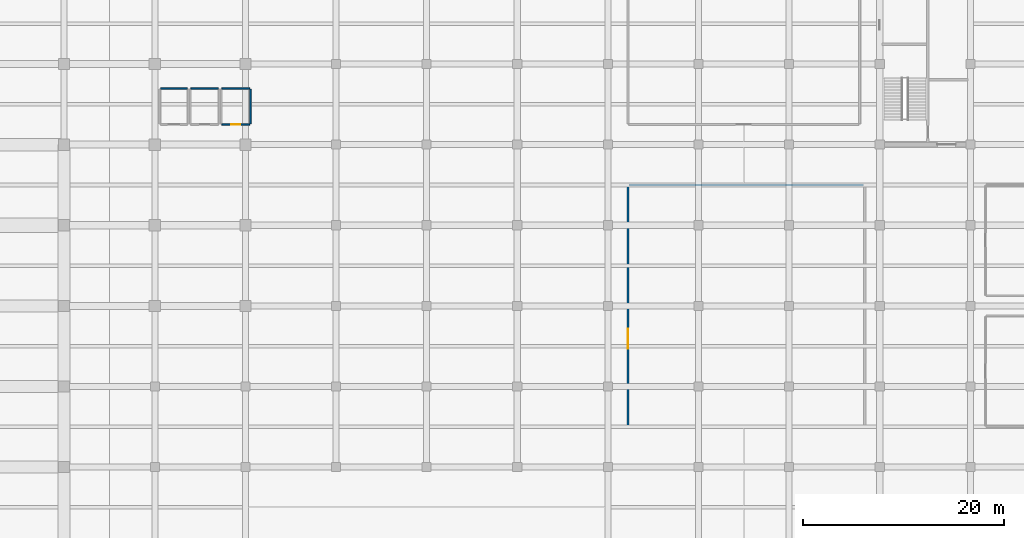
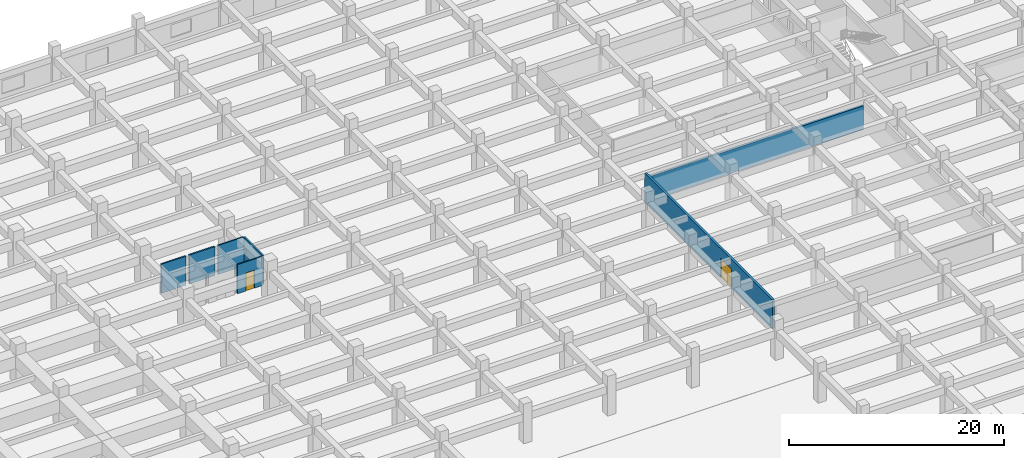
# One storey, part 26 of 40: 7 walls, 2 doors, 2 openings.
"""IFC4 building model written with IfcOpenShell, lengths in metres."""

from ifc_helpers import new_model, si_unit, direction, frame, frame_2d, origin, place, context, subcontext, project, spatial, rectangle, extrude, material, layer, layer_set, type_object, element, fill, save


model = new_model("IFC4")

# Units and contexts
model_context = context("Model", 3, precision=1e-05, world=origin(), true_north=direction((0.0, 1.0)))
body_context = subcontext(model_context, "Body", "Model", "MODEL_VIEW")
ifc_project = project(units=[si_unit("LENGTHUNIT", "METRE"), si_unit("AREAUNIT", "SQUARE_METRE"), si_unit("VOLUMEUNIT", "CUBIC_METRE"), si_unit("PLANEANGLEUNIT", "RADIAN"), si_unit("MASSUNIT", "GRAM", prefix="KILO")], contexts=[model_context])

# Site, building, storey
site_placement = place(None, origin())
site = spatial("IfcSite", under=ifc_project, at=site_placement, CompositionType="ELEMENT")
building_placement = place(site_placement, origin())
building = spatial("IfcBuilding", under=site, at=building_placement, Name="Zaverband Oceanarium and Marine Research Institute", CompositionType="ELEMENT")
storey_placement = place(building_placement, origin())
storey = spatial("IfcBuildingStorey", under=building, at=storey_placement, Name="L00", CompositionType="ELEMENT", Elevation=0.0)

# Walls
ifc_material_1 = material(Name="Ceramic-tiled wet-room blockwork", Category="masonry")
ifc_layer_1 = layer(ifc_material_1, 0.14990234375, Name="Ceramic-tiled wet-room blockwork")
ifc_layer_set_1 = layer_set([ifc_layer_1], Name="Ceramic-tiled wet-room blockwork")
wall_type_1 = type_object("IfcWallType", Name="PT-150-WC", PredefinedType="PARTITIONING", material=ifc_layer_set_1)
wall_1_placement = place(storey_placement, frame((63.574951171875, 85.60009765625, 0.0), z_axis=(0.0, 0.0, 1.0), x_axis=(1.0, 0.0, 0.0)))
element("IfcWall", 1, at=wall_1_placement, inside=storey, type_object=wall_type_1, Name="Internal partition PT-150-WC", PredefinedType="PARTITIONING", context=body_context, shape_type="SweptSolid", body=[
    extrude(rectangle(XDim=2.650146484375, YDim=0.14990234375, at=frame_2d((1.3251953125, 0.0))), origin(), (0.0, 0.0, 1.0), 3.300048828125),
])
wall_2_placement = place(storey_placement, frame((66.574951171875, 85.60009765625, 0.0), z_axis=(0.0, 0.0, 1.0), x_axis=(1.0, 0.0, 0.0)))
element("IfcWall", 2, at=wall_2_placement, inside=storey, type_object=wall_type_1, Name="Internal partition PT-150-WC", PredefinedType="PARTITIONING", context=body_context, shape_type="SweptSolid", body=[
    extrude(rectangle(XDim=2.75, YDim=0.14990234375, at=frame_2d((1.375, 0.0))), origin(), (0.0, 0.0, 1.0), 3.300048828125),
])

# Wall, opening, door
wall_3_placement = place(storey_placement, frame((69.675048828125, 82.0, 0.0), z_axis=(0.0, 0.0, 1.0), x_axis=(1.0, 0.0, 0.0)))
wall_3 = element("IfcWall", 3, at=wall_3_placement, inside=storey, type_object=wall_type_1, Name="Internal partition PT-150-WC", PredefinedType="PARTITIONING", context=body_context, shape_type="SweptSolid", body=[
    extrude(rectangle(XDim=2.75, YDim=0.14990234375, at=frame_2d((1.375, 0.0))), origin(), (0.0, 0.0, 1.0), 3.300048828125),
])
opening_1_placement = place(wall_3_placement, frame((0.929931640625, 0.0, 0.0)))
opening_1 = element("IfcOpeningElement", 4, at=opening_1_placement, cuts=wall_3, Name="Opening ID-890x2060", PredefinedType="OPENING", context=body_context, shape_type="SweptSolid", body=[
    extrude(rectangle(XDim=0.889892578125, YDim=2.06005859375, at=frame_2d((0.44482421875, 1.030029296875))), frame((0.0, 0.0869140625, 0.0), z_axis=(0.0, -1.0, 0.0), x_axis=(1.0, 0.0, 0.0)), (0.0, 0.0, 1.0), 0.173828125),
])
ifc_material_2 = material(Name="Hardwood-veneered acoustic timber", Category="wood")
door_type_1 = type_object("IfcDoorType", Name="ID-890x2060", OperationType="NOTDEFINED", PredefinedType="DOOR", material=ifc_material_2)
door_1_placement = place(opening_1_placement, origin())
door_1 = element("IfcDoor", 5, at=door_1_placement, inside=storey, type_object=door_type_1, Name="Staff WC door ID-890x2060", OperationType="SINGLE_SWING_LEFT", OverallHeight=2.06005859375, OverallWidth=0.889892578125, PredefinedType="DOOR", context=body_context, shape_type="SweptSolid", body=[
    extrude(rectangle(XDim=0.889892578125, YDim=2.06005859375, at=frame_2d((0.44482421875, 1.030029296875))), frame((0.0, 0.02490234375, 0.0), z_axis=(0.0, -1.0, 0.0), x_axis=(1.0, 0.0, 0.0)), (0.0, 0.0, 1.0), 0.050048828125),
])
fill(opening_1, door_1)

# Walls
wall_4_placement = place(storey_placement, frame((69.675048828125, 85.60009765625, 0.0), z_axis=(0.0, 0.0, 1.0), x_axis=(1.0, 0.0, 0.0)))
element("IfcWall", 6, at=wall_4_placement, inside=storey, type_object=wall_type_1, Name="Internal partition PT-150-WC", PredefinedType="PARTITIONING", context=body_context, shape_type="SweptSolid", body=[
    extrude(rectangle(XDim=2.75, YDim=0.14990234375, at=frame_2d((1.375, 0.0))), origin(), (0.0, 0.0, 1.0), 3.300048828125),
])
wall_5_placement = place(storey_placement, frame((72.5, 82.074951171875, 0.0), z_axis=(0.0, 0.0, 1.0), x_axis=(0.0, 1.0, 0.0)))
element("IfcWall", 7, at=wall_5_placement, inside=storey, type_object=wall_type_1, Name="Internal partition PT-150-WC", PredefinedType="PARTITIONING", context=body_context, shape_type="SweptSolid", body=[
    extrude(rectangle(XDim=3.449951171875, YDim=0.14990234375, at=frame_2d((1.72509765625, 0.0))), origin(), (0.0, 0.0, 1.0), 3.300048828125),
])
ifc_material_3 = material(Name="Masonry concrete blockwork", Category="masonry")
ifc_layer_2 = layer(ifc_material_3, 0.239990234375, Name="Masonry concrete blockwork")
ifc_layer_set_2 = layer_set([ifc_layer_2], Name="Masonry concrete blockwork")
wall_type_2 = type_object("IfcWallType", Name="PT-240-AC", PredefinedType="PARTITIONING", material=ifc_layer_set_2)
wall_6_placement = place(storey_placement, frame((110.1201171875, 76.0, 0.0), z_axis=(0.0, 0.0, 1.0), x_axis=(1.0, 0.0, 0.0)))
element("IfcWall", 8, at=wall_6_placement, inside=storey, type_object=wall_type_2, Name="Acoustic partition PT-240-AC", PredefinedType="PARTITIONING", context=body_context, shape_type="SweptSolid", body=[
    extrude(rectangle(XDim=23.259765625, YDim=0.239990234375, at=frame_2d((11.6298828125, 0.0))), origin(), (0.0, 0.0, 1.0), 2.699951171875),
])

# Wall, opening, door
wall_7_placement = place(storey_placement, frame((110.0, 52.1201171875, 0.0), z_axis=(0.0, 0.0, 1.0), x_axis=(0.0, 1.0, 0.0)))
wall_7 = element("IfcWall", 9, at=wall_7_placement, inside=storey, type_object=wall_type_2, Name="Acoustic partition PT-240-AC", PredefinedType="PARTITIONING", context=body_context, shape_type="SweptSolid", body=[
    extrude(rectangle(XDim=23.759765625, YDim=0.239990234375, at=frame_2d((11.8798828125, 0.0))), origin(), (0.0, 0.0, 1.0), 3.300048828125),
])
opening_2_placement = place(wall_7_placement, frame((7.615966796875, 0.0, 0.0)))
opening_2 = element("IfcOpeningElement", 10, at=opening_2_placement, cuts=wall_7, Name="Opening ID-2000x2180", PredefinedType="OPENING", context=body_context, shape_type="SweptSolid", body=[
    extrude(rectangle(XDim=2.0, YDim=2.179931640625, at=frame_2d((1.0, 1.08984375))), frame((0.0, 0.1318359375, 0.0), z_axis=(0.0, -1.0, 0.0), x_axis=(1.0, 0.0, 0.0)), (0.0, 0.0, 1.0), 0.263916015625),
])
door_type_2 = type_object("IfcDoorType", Name="ID-2000x2180", OperationType="DOUBLE_DOOR_SINGLE_SWING", PredefinedType="DOOR", material=ifc_material_2)
door_2_placement = place(opening_2_placement, origin())
door_2 = element("IfcDoor", 11, at=door_2_placement, inside=storey, type_object=door_type_2, Name="Auditorium acoustic double door ID-2000x2180", OperationType="DOUBLE_DOOR_SINGLE_SWING", OverallHeight=2.179931640625, OverallWidth=2.0, PredefinedType="DOOR", context=body_context, shape_type="SweptSolid", body=[
    extrude(rectangle(XDim=2.0, YDim=2.179931640625, at=frame_2d((1.0, 1.08984375))), frame((0.0, 0.02490234375, 0.0), z_axis=(0.0, -1.0, 0.0), x_axis=(1.0, 0.0, 0.0)), (0.0, 0.0, 1.0), 0.050048828125),
])
fill(opening_2, door_2)

save(model, "model.ifc")
